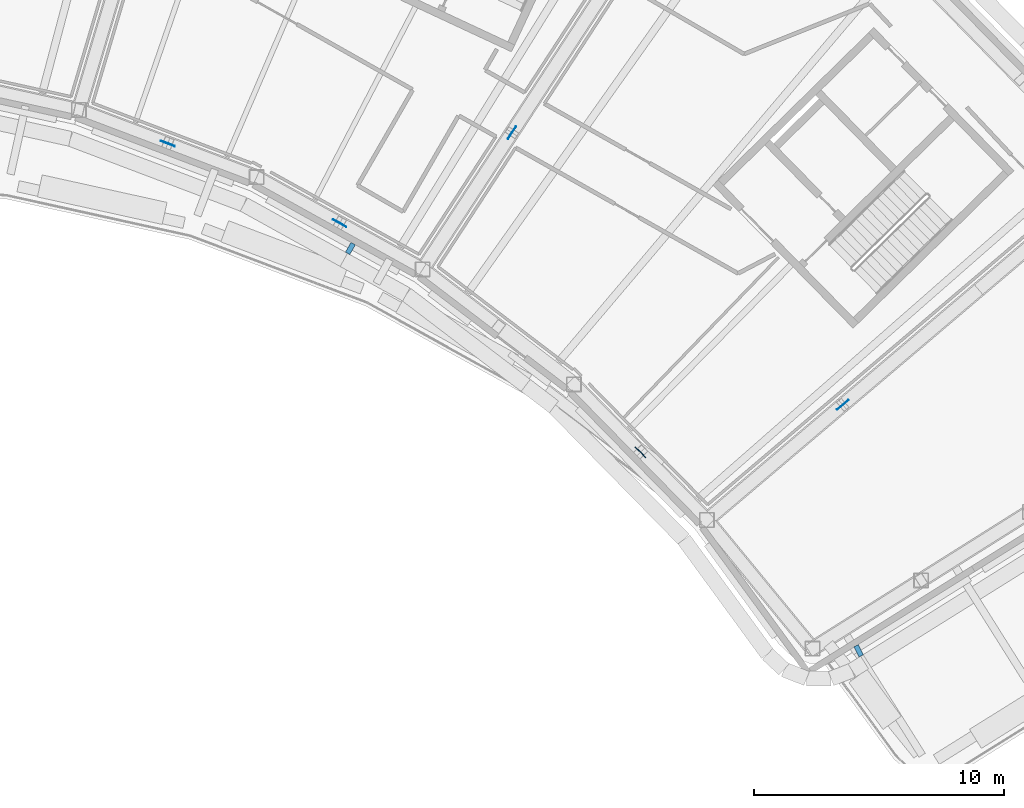
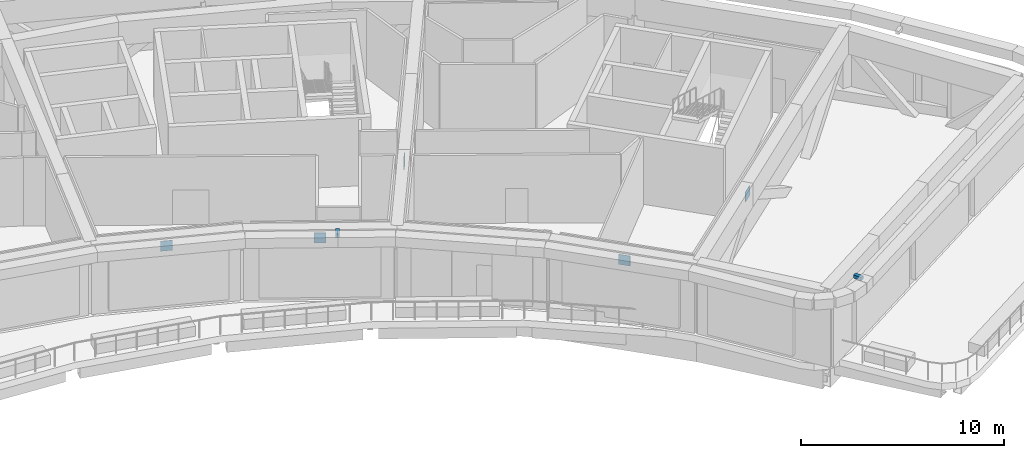
# One storey, part 16 of 24: 7 discrete accessories.
"""IFC4 building model written with IfcOpenShell, lengths in metres."""

from ifc_helpers import new_model, si_unit, direction, frame, origin, origin_2d, place, context, subcontext, project, spatial, rectangle, extrude, material, type_object, element, save


model = new_model("IFC4")

# Units and contexts
model_context = context("Model", 3, precision=1e-05, world=origin(), true_north=direction((0.0, 1.0)))
body_context = subcontext(model_context, "Body", "Model", "MODEL_VIEW")
ifc_project = project(units=[si_unit("LENGTHUNIT", "METRE"), si_unit("AREAUNIT", "SQUARE_METRE"), si_unit("VOLUMEUNIT", "CUBIC_METRE"), si_unit("PLANEANGLEUNIT", "RADIAN"), si_unit("MASSUNIT", "GRAM", prefix="KILO")], contexts=[model_context])

# Site, building, storey
site_placement = place(None, origin())
site = spatial("IfcSite", under=ifc_project, at=site_placement, CompositionType="ELEMENT")
building_placement = place(site_placement, origin())
building = spatial("IfcBuilding", under=site, at=building_placement, Name="Tuul Gate Civic Tower", CompositionType="ELEMENT")
storey_placement = place(building_placement, frame((0.0, 0.0, 315.199951171875)))
storey = spatial("IfcBuildingStorey", under=building, at=storey_placement, Name="Plant and refuge floor 7", CompositionType="ELEMENT", Elevation=315.199951171875)

# Discrete accessories
ifc_material_1 = material(Name="Steel S355", Category="steel")
discrete_accessory_type_1 = type_object("IfcDiscreteAccessoryType", Name="Gusset plate", PredefinedType="BRACKET", material=ifc_material_1)
for number, where, z_axis, x_axis, name in (
    (1, (47.703369140625, -21.493896484375, 3.102783203125), (0.0, 0.0, 1.0), (0.76282474496, 0.646605295738, 0.0), "Gusset plate"),
    (2, (34.4833984375, -10.616943359375, 3.102783203125), (0.0, 0.0, 1.0), (0.546710516181, 0.837321689375, 0.0), "Gusset plate"),
    (3, (20.728515625, -11.052978515625, 3.103759765625), (0.0, 0.0, 1.0), (-0.935323959352, 0.353792440652, 0.0), "Gusset plate"),
    (4, (39.615966796875, -23.385986328125, 3.103759765625), (0.0, 0.0, 1.0), (-0.699958144192, 0.714183867347, 0.0), "Gusset plate"),
    (5, (27.59912109375, -14.236083984375, 3.103759765625), (0.0, 0.0, 1.0), (-0.874653889523, 0.484747948467, 0.0), "Gusset plate"),
):
    element("IfcDiscreteAccessory", number, at=place(storey_placement, frame(where, z_axis=z_axis, x_axis=x_axis)), inside=storey, type_object=discrete_accessory_type_1, Name=name, PredefinedType="BRACKET", context=body_context, shape_type="SweptSolid", body=[
        extrude(rectangle(XDim=0.60009765625, YDim=0.030029296875, at=origin_2d()), origin(), (0.0, 0.0, 1.0), 0.60009765625),
    ])
ifc_material_2 = material(Name="Stainless steel", Category="steel")
discrete_accessory_type_2 = type_object("IfcDiscreteAccessoryType", Name="Screen bracket", PredefinedType="BRACKET", material=ifc_material_2)
discrete_accessory_1_placement = place(storey_placement, frame((28.027587890625, -15.24560546875, 4.05029296875), z_axis=(0.0, 0.0, 1.0), x_axis=(-0.499372596618, -0.866387332402, 0.0)))
element("IfcDiscreteAccessory", 6, at=discrete_accessory_1_placement, inside=storey, type_object=discrete_accessory_type_2, Name="Screen bracket 28", PredefinedType="BRACKET", context=body_context, shape_type="SweptSolid", body=[
    extrude(rectangle(XDim=0.4501953125, YDim=0.199951171875, at=origin_2d()), origin(), (0.0, 0.0, 1.0), 0.199951171875),
])
discrete_accessory_2_placement = place(storey_placement, frame((48.337890625, -31.32421875, 4.05029296875), z_axis=(0.0, 0.0, 1.0), x_axis=(0.453848979937, -0.891078617974, 0.0)))
element("IfcDiscreteAccessory", 7, at=discrete_accessory_2_placement, inside=storey, type_object=discrete_accessory_type_2, Name="Screen bracket 31", PredefinedType="BRACKET", context=body_context, shape_type="SweptSolid", body=[
    extrude(rectangle(XDim=0.45166015625, YDim=0.199951171875, at=origin_2d()), origin(), (0.0, 0.0, 1.0), 0.199951171875),
])

save(model, "model.ifc")
